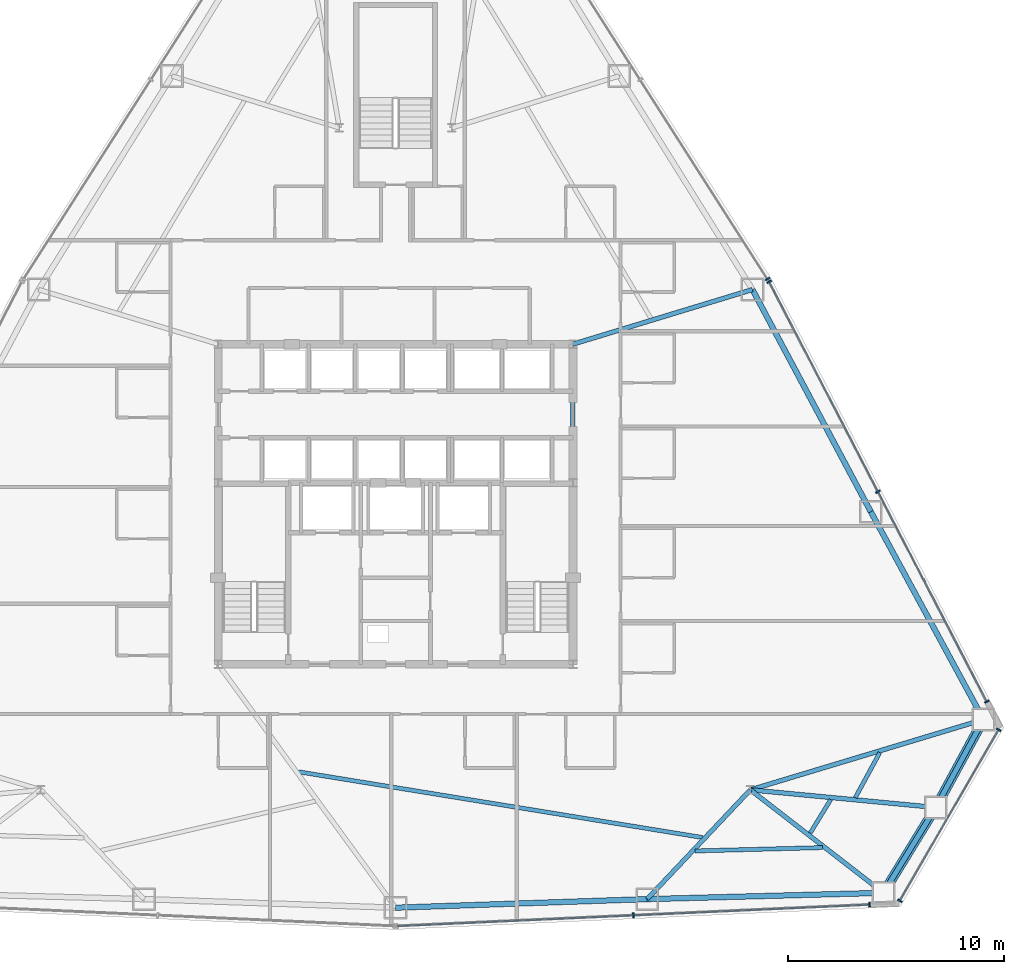
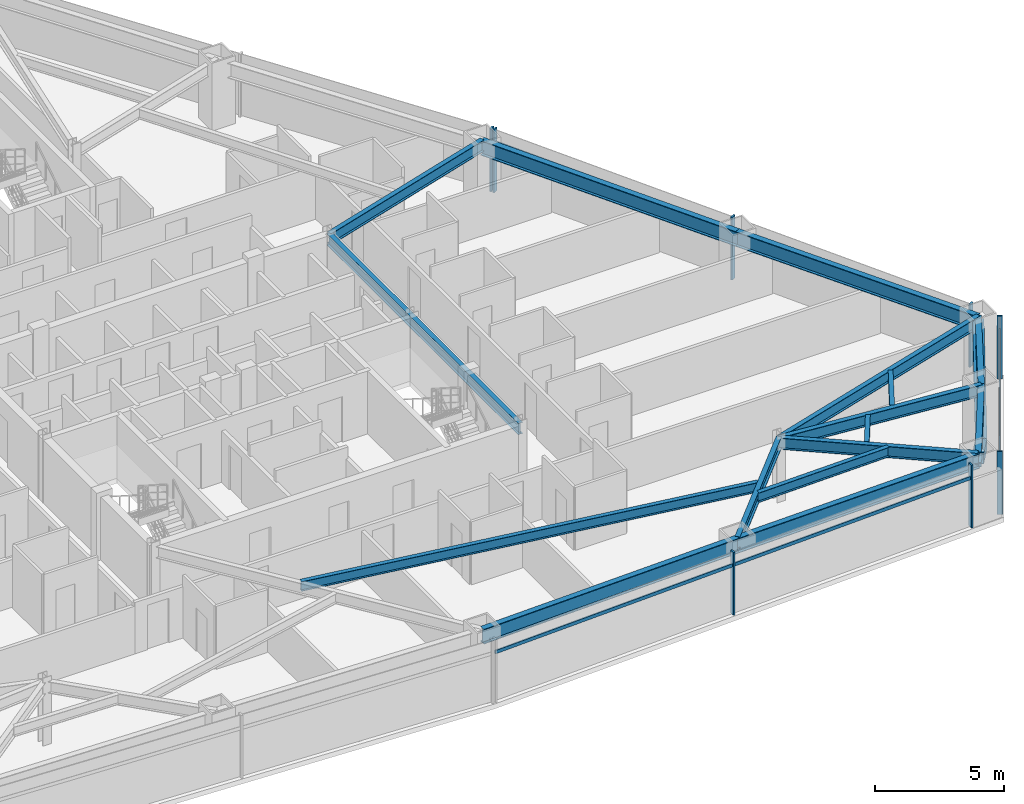
# One storey, part 6 of 13: 16 beams, 13 members, 4 elements without a shape of their own.
"""IFC4 building model written with IfcOpenShell, lengths in metres."""

from ifc_helpers import new_model, si_unit, direction, frame, origin, origin_2d, place, context, subcontext, project, spatial, rectangle, hollow_rectangle, i_section, extrude, source, transform, mapped, material, layer, layer_set, material_profile, profile_set, type_object, type_shapes, element, aggregate, save


model = new_model("IFC4")

# Units and contexts
model_context = context("Model", 3, precision=1e-05, world=origin(), true_north=direction((0.0, 1.0)))
body_context = subcontext(model_context, "Body", "Model", "MODEL_VIEW")
ifc_project = project(units=[si_unit("LENGTHUNIT", "METRE"), si_unit("AREAUNIT", "SQUARE_METRE"), si_unit("VOLUMEUNIT", "CUBIC_METRE"), si_unit("PLANEANGLEUNIT", "RADIAN"), si_unit("MASSUNIT", "GRAM", prefix="KILO")], contexts=[model_context])

# Site, building, storey
site_placement = place(None, origin())
site = spatial("IfcSite", under=ifc_project, at=site_placement, CompositionType="ELEMENT")
building_placement = place(site_placement, origin())
building = spatial("IfcBuilding", under=site, at=building_placement, Name="Varakhsha Concourse Tower", CompositionType="ELEMENT")
storey_placement = place(building_placement, frame((0.0, 0.0, 83.0)))
storey = spatial("IfcBuildingStorey", under=building, at=storey_placement, Name="L23", CompositionType="ELEMENT", Elevation=83.0)

# Beams
ifc_material_1 = material(Name="Structural Steel ASTM A992 Grade 50", Category="steel")
ifc_material_profile_1 = material_profile(ifc_material_1, i_section(OverallWidth=0.19091796875, OverallDepth=0.45703125, WebThickness=0.009033203125, FlangeThickness=0.013916015625, at=origin_2d()), Name="W18X50")
ifc_profile_set_1 = profile_set([ifc_material_profile_1], Name="Structural Steel ASTM A992 Grade 50")
beam_type_1 = type_object("IfcBeamType", Name="BM-JST-W18X50", PredefinedType="JOIST", material=ifc_profile_set_1)
beam_1_placement = place(storey_placement, frame((35.5166015625, 11.43310546875, 2.741455078125), z_axis=(0.987027059065, -0.160553993018, 0.0), x_axis=(0.160553993018, 0.987027059065, 0.0)))
element("IfcBeam", 1, at=beam_1_placement, inside=storey, type_object=beam_type_1, Name="BM-TJST-L23-11", PredefinedType="JOIST", context=body_context, shape_type="SweptSolid", body=[
    extrude(i_section(OverallWidth=0.19091796875, OverallDepth=0.45703125, WebThickness=0.009033203125, FlangeThickness=0.013916015625, at=origin_2d()), origin(), (0.0, 0.0, 1.0), 18.9208984375),
])
beam_2_placement = place(storey_placement, frame((53.838134765625, 7.7744140625, 2.741455078125), z_axis=(0.999648110151, 0.02652651261, 0.0), x_axis=(-0.02652651261, 0.999648110151, 0.0)))
element("IfcBeam", 2, at=beam_2_placement, inside=storey, type_object=beam_type_1, Name="BM-TJST-L23-12", PredefinedType="JOIST", context=body_context, shape_type="SweptSolid", body=[
    extrude(i_section(OverallWidth=0.19091796875, OverallDepth=0.45703125, WebThickness=0.009033203125, FlangeThickness=0.013916015625, at=origin_2d()), origin(), (0.0, 0.0, 1.0), 5.899658203125),
])
beam_3_placement = place(storey_placement, frame((59.164794921875, 8.598876953125, 2.741455078125), z_axis=(0.522010135783, 0.852939281626, 0.0), x_axis=(-0.852939281626, 0.522010135783, 0.0)))
element("IfcBeam", 3, at=beam_3_placement, inside=storey, type_object=beam_type_1, Name="BM-TJST-L23-13", PredefinedType="JOIST", context=body_context, shape_type="SweptSolid", body=[
    extrude(i_section(OverallWidth=0.19091796875, OverallDepth=0.45703125, WebThickness=0.009033203125, FlangeThickness=0.013916015625, at=origin_2d()), origin(), (0.0, 0.0, 1.0), 1.815673828125),
])
beam_4_placement = place(storey_placement, frame((61.250732421875, 10.239990234375, 2.741455078125), z_axis=(0.477516776867, 0.87862263106, 0.0), x_axis=(-0.87862263106, 0.477516776867, 0.0)))
element("IfcBeam", 4, at=beam_4_placement, inside=storey, type_object=beam_type_1, Name="BM-TJST-L23-14", PredefinedType="JOIST", context=body_context, shape_type="SweptSolid", body=[
    extrude(i_section(OverallWidth=0.19091796875, OverallDepth=0.45703125, WebThickness=0.009033203125, FlangeThickness=0.013916015625, at=origin_2d()), origin(), (0.0, 0.0, 1.0), 2.370849609375),
])
ifc_material_profile_2 = material_profile(ifc_material_1, i_section(OverallWidth=0.2109375, OverallDepth=0.5390625, WebThickness=0.011962890625, FlangeThickness=0.01904296875, at=origin_2d()), Name="W21X73")
ifc_profile_set_2 = profile_set([ifc_material_profile_2], Name="Structural Steel ASTM A992 Grade 50")
beam_type_2 = type_object("IfcBeamType", Name="BM-RAD-W21X73", PredefinedType="BEAM", material=ifc_profile_set_2)
beam_5_placement = place(storey_placement, frame((48.199951171875, 16.39990234375, 2.700439453125), z_axis=(0.0, 1.0, 0.0), x_axis=(-1.0, 0.0, 0.0)))
element("IfcBeam", 5, at=beam_5_placement, inside=storey, type_object=beam_type_2, Name="BM-TCORE-L23-CE", PredefinedType="BEAM", context=body_context, shape_type="SweptSolid", body=[
    extrude(i_section(OverallWidth=0.2109375, OverallDepth=0.5390625, WebThickness=0.011962890625, FlangeThickness=0.01904296875, at=origin_2d()), origin(), (0.0, 0.0, 1.0), 14.800048828125),
])
beam_6_placement = place(storey_placement, frame((56.39990234375, 10.60009765625, 2.700439453125), z_axis=(-0.686667898497, -0.726971249207, 0.0), x_axis=(0.726971249207, -0.686667898497, 0.0)))
element("IfcBeam", 6, at=beam_6_placement, inside=storey, type_object=beam_type_2, Name="L23 Radial Floor Girder 12", PredefinedType="BEAM", context=body_context, shape_type="SweptSolid", body=[
    extrude(i_section(OverallWidth=0.2109375, OverallDepth=0.5390625, WebThickness=0.011962890625, FlangeThickness=0.01904296875, at=origin_2d()), origin(), (0.0, 0.0, 1.0), 6.947998046875),
])
beam_7_placement = place(storey_placement, frame((56.39990234375, 10.60009765625, 2.700439453125), z_axis=(0.790863829476, -0.611992159449, 0.0), x_axis=(0.611992159449, 0.790863829476, 0.0)))
element("IfcBeam", 7, at=beam_7_placement, inside=storey, type_object=beam_type_2, Name="L23 Radial Floor Girder 13", PredefinedType="BEAM", context=body_context, shape_type="SweptSolid", body=[
    extrude(i_section(OverallWidth=0.2109375, OverallDepth=0.5390625, WebThickness=0.011962890625, FlangeThickness=0.01904296875, at=origin_2d()), origin(), (0.0, 0.0, 1.0), 7.77978515625),
])
beam_8_placement = place(storey_placement, frame((56.39990234375, 10.60009765625, 2.700439453125), z_axis=(0.995499423712, -0.094767596724, 0.0), x_axis=(0.094767596724, 0.995499423712, 0.0)))
element("IfcBeam", 8, at=beam_8_placement, inside=storey, type_object=beam_type_2, Name="L23 Radial Floor Girder 14", PredefinedType="BEAM", context=body_context, shape_type="SweptSolid", body=[
    extrude(i_section(OverallWidth=0.2109375, OverallDepth=0.5390625, WebThickness=0.011962890625, FlangeThickness=0.01904296875, at=origin_2d()), origin(), (0.0, 0.0, 1.0), 8.607177734375),
])
beam_9_placement = place(storey_placement, frame((56.39990234375, 10.60009765625, 2.700439453125), z_axis=(0.957434410413, 0.288650913313, 0.0), x_axis=(-0.288650913313, 0.957434410413, 0.0)))
element("IfcBeam", 9, at=beam_9_placement, inside=storey, type_object=beam_type_2, Name="L23 Radial Floor Girder 15", PredefinedType="BEAM", context=body_context, shape_type="SweptSolid", body=[
    extrude(i_section(OverallWidth=0.2109375, OverallDepth=0.5390625, WebThickness=0.011962890625, FlangeThickness=0.01904296875, at=origin_2d()), origin(), (0.0, 0.0, 1.0), 11.2568359375),
])
beam_10_placement = place(storey_placement, frame((48.199951171875, 31.199951171875, 2.700439453125), z_axis=(0.956697744709, 0.291083193036, 0.0), x_axis=(-0.291083193036, 0.956697744709, 0.0)))
element("IfcBeam", 10, at=beam_10_placement, inside=storey, type_object=beam_type_2, Name="L23 Radial Floor Girder 17", PredefinedType="BEAM", context=body_context, shape_type="SweptSolid", body=[
    extrude(i_section(OverallWidth=0.2109375, OverallDepth=0.5390625, WebThickness=0.011962890625, FlangeThickness=0.01904296875, at=origin_2d()), origin(), (0.0, 0.0, 1.0), 8.671630859375),
])
ifc_material_profile_3 = material_profile(ifc_material_1, i_section(OverallWidth=0.25390625, OverallDepth=0.701904296875, WebThickness=0.014892578125, FlangeThickness=0.028076171875, at=origin_2d()), Name="W27X129")
ifc_profile_set_3 = profile_set([ifc_material_profile_3], Name="Structural Steel ASTM A992 Grade 50")
beam_type_3 = type_object("IfcBeamType", Name="BM-SPAN-W27X129", PredefinedType="SPANDREL", material=ifc_profile_set_3)
beam_11_placement = place(storey_placement, frame((40.0, 5.15185546875, 2.618896484375), z_axis=(0.999417135447, 0.034137799785, 0.0), x_axis=(-0.034137799785, 0.999417135447, 0.0)))
element("IfcBeam", 11, at=beam_11_placement, inside=storey, type_object=beam_type_3, Name="BM-SPAN-L23-11", PredefinedType="SPANDREL", context=body_context, shape_type="SweptSolid", body=[
    extrude(i_section(OverallWidth=0.25390625, OverallDepth=0.701904296875, WebThickness=0.014892578125, FlangeThickness=0.028076171875, at=origin_2d()), origin(), (0.0, 0.0, 1.0), 11.6357421875),
])
beam_12_placement = place(storey_placement, frame((51.62890625, 5.549072265625, 2.618896484375), z_axis=(0.999648299755, 0.026519366436, 0.0), x_axis=(-0.026519366436, 0.999648299755, 0.0)))
element("IfcBeam", 12, at=beam_12_placement, inside=storey, type_object=beam_type_3, Name="BM-SPAN-L23-12", PredefinedType="SPANDREL", context=body_context, shape_type="SweptSolid", body=[
    extrude(i_section(OverallWidth=0.25390625, OverallDepth=0.701904296875, WebThickness=0.014892578125, FlangeThickness=0.028076171875, at=origin_2d()), origin(), (0.0, 0.0, 1.0), 10.927734375),
])
beam_13_placement = place(storey_placement, frame((62.552734375, 5.8388671875, 2.618896484375), z_axis=(0.522135058867, 0.852862814468, 0.0), x_axis=(-0.852862814468, 0.522135058867, 0.0)))
element("IfcBeam", 13, at=beam_13_placement, inside=storey, type_object=beam_type_3, Name="BM-SPAN-L23-13", PredefinedType="SPANDREL", context=body_context, shape_type="SweptSolid", body=[
    extrude(i_section(OverallWidth=0.25390625, OverallDepth=0.701904296875, WebThickness=0.014892578125, FlangeThickness=0.028076171875, at=origin_2d()), origin(), (0.0, 0.0, 1.0), 4.626220703125),
])
beam_14_placement = place(storey_placement, frame((64.96826171875, 9.784423828125, 2.618896484375), z_axis=(0.47751686281, 0.878622584351, 0.0), x_axis=(-0.878622584351, 0.47751686281, 0.0)))
element("IfcBeam", 14, at=beam_14_placement, inside=storey, type_object=beam_type_3, Name="BM-SPAN-L23-14", PredefinedType="SPANDREL", context=body_context, shape_type="SweptSolid", body=[
    extrude(i_section(OverallWidth=0.25390625, OverallDepth=0.701904296875, WebThickness=0.014892578125, FlangeThickness=0.028076171875, at=origin_2d()), origin(), (0.0, 0.0, 1.0), 4.62646484375),
])
beam_15_placement = place(storey_placement, frame((67.177490234375, 13.849365234375, 2.618896484375), z_axis=(-0.476839407103, 0.878990432163, 0.0), x_axis=(-0.878990432163, -0.476839407103, 0.0)))
element("IfcBeam", 15, at=beam_15_placement, inside=storey, type_object=beam_type_3, Name="BM-SPAN-L23-15", PredefinedType="SPANDREL", context=body_context, shape_type="SweptSolid", body=[
    extrude(i_section(OverallWidth=0.25390625, OverallDepth=0.701904296875, WebThickness=0.014892578125, FlangeThickness=0.028076171875, at=origin_2d()), origin(), (0.0, 0.0, 1.0), 10.927490234375),
])
beam_16_placement = place(storey_placement, frame((61.966796875, 23.45458984375, 2.618896484375), z_axis=(-0.470161283072, 0.882580516384, 0.0), x_axis=(-0.882580516384, -0.470161283072, 0.0)))
element("IfcBeam", 16, at=beam_16_placement, inside=storey, type_object=beam_type_3, Name="BM-SPAN-L23-16", PredefinedType="SPANDREL", context=body_context, shape_type="SweptSolid", body=[
    extrude(i_section(OverallWidth=0.25390625, OverallDepth=0.701904296875, WebThickness=0.014892578125, FlangeThickness=0.028076171875, at=origin_2d()), origin(), (0.0, 0.0, 1.0), 11.6357421875),
])

# Members
ifc_material_2 = material(Name="Structural Steel ASTM A500 Grade C", Category="steel")
ifc_material_profile_4 = material_profile(ifc_material_2, hollow_rectangle(XDim=0.449951171875, YDim=0.449951171875, WallThickness=0.01904296875, at=origin_2d()), Name="HSS 450x450x19")
ifc_profile_set_4 = profile_set([ifc_material_profile_4], Name="Structural Steel ASTM A500 Grade C")
member_type_1 = type_object("IfcMemberType", Name="MB-TUBE-HSS450", PredefinedType="BRACE", material=ifc_profile_set_4)
shared_shape_1 = source(origin(), body_context, "Body", "SweptSolid", [
    extrude(hollow_rectangle(XDim=0.449951171875, YDim=0.449951171875, WallThickness=0.01904296875, at=origin_2d()), origin(), (0.0, 0.0, 1.0), 5.282470703125),
])
member_1_placement = place(storey_placement, frame((64.96826171875, 9.784423828125, 0.1201171875), z_axis=(-0.457278846545, -0.746925756925, 0.48269863284), x_axis=(0.852862814468, -0.522135058867, 0.0)))
element("IfcMember", 17, at=member_1_placement, inside=storey, type_object=member_type_1, Name="L23 Wind-Corner Tube Brace B05", PredefinedType="BRACE", context=body_context, shape_type="MappedRepresentation", body=[
    mapped(shared_shape_1, transform((0.0, 0.0, 0.0), scale=1.0)),
])
shared_shape_2 = source(origin(), body_context, "Body", "SweptSolid", [
    extrude(hollow_rectangle(XDim=0.449951171875, YDim=0.449951171875, WallThickness=0.01904296875, at=origin_2d()), origin(), (0.0, 0.0, 1.0), 5.28271484375),
])
type_shapes(member_type_1, [shared_shape_1, shared_shape_2])
member_2_placement = place(storey_placement, frame((64.96826171875, 9.784423828125, 0.1201171875), z_axis=(0.418207952701, 0.769495238421, 0.48267917538), x_axis=(-0.878622584351, 0.47751686281, 0.0)))
element("IfcMember", 18, at=member_2_placement, inside=storey, type_object=member_type_1, Name="L23 Wind-Corner Tube Brace B06", PredefinedType="BRACE", context=body_context, shape_type="MappedRepresentation", body=[
    mapped(shared_shape_2, transform((0.0, 0.0, 0.0), scale=1.0)),
])

# Curtain wall, members
ifc_material_3 = material(Name="Anodised Bronze Architectural Aluminium AA 6063-T6", Category="aluminium")
ifc_layer = layer(ifc_material_3, 0.199951171875, Name="CW-SYS-03")
ifc_layer_set = layer_set([ifc_layer], Name="Anodised Bronze Architectural Aluminium AA 6063-T6")
curtain_wall_type = type_object("IfcCurtainWallType", Name="CW-SYS-03", PredefinedType="NOTDEFINED", material=ifc_layer_set)
curtain_wall_1_placement = place(storey_placement, origin())
curtain_wall_1 = element("IfcCurtainWall", 19, at=curtain_wall_1_placement, inside=storey, type_object=curtain_wall_type, Name="L23 Crystal Curtain Wall F6", PredefinedType="NOTDEFINED")
ifc_material_profile_5 = material_profile(ifc_material_3, rectangle(XDim=0.074951171875, YDim=0.219970703125, at=origin_2d()), Name="CWM-220X75")
ifc_profile_set_5 = profile_set([ifc_material_profile_5], Name="Anodised Bronze Architectural Aluminium AA 6063-T6")
member_type_2 = type_object("IfcMemberType", Name="CWM-220X75", PredefinedType="MULLION", material=ifc_profile_set_5)
shared_shape_3 = source(origin(), body_context, "Body", "SweptSolid", [
    extrude(rectangle(XDim=0.074951171875, YDim=0.219970703125, at=origin_2d()), origin(), (0.0, 0.0, 1.0), 2.969970703125),
])
type_shapes(member_type_2, [shared_shape_3])
member_3_placement = place(storey_placement, frame((61.911865234375, 5.29541015625, 0.0), z_axis=(0.0, 0.0, 1.0), x_axis=(-0.998969777905, -0.045380423448, 0.0)))
member_3 = element("IfcMember", 20, at=member_3_placement, type_object=member_type_2, Name="CW-L23-F6 Mullion 00", PredefinedType="MULLION", context=body_context, shape_type="MappedRepresentation", body=[
    mapped(shared_shape_3, transform((0.0, 0.0, 0.0), scale=1.0)),
])
member_4_placement = place(storey_placement, frame((50.9921875, 4.79931640625, 0.0), z_axis=(0.0, 0.0, 1.0), x_axis=(-0.998969777905, -0.045380423448, 0.0)))
member_4 = element("IfcMember", 21, at=member_4_placement, type_object=member_type_2, Name="CW-L23-F6 Mullion 01", PredefinedType="MULLION", context=body_context, shape_type="MappedRepresentation", body=[
    mapped(shared_shape_3, transform((0.0, 0.0, 0.0), scale=1.0)),
])

curtain_wall_2_placement = place(storey_placement, origin())
curtain_wall_2 = element("IfcCurtainWall", 22, at=curtain_wall_2_placement, inside=storey, type_object=curtain_wall_type, Name="L23 Chamfer Curtain Wall F7", PredefinedType="NOTDEFINED")
member_5_placement = place(storey_placement, frame((67.874755859375, 13.378662109375, 0.0), z_axis=(0.0, 0.0, 1.0), x_axis=(-0.499996976998, -0.866027149108, 0.0)))
member_5 = element("IfcMember", 23, at=member_5_placement, type_object=member_type_2, Name="CW-L23-F7 Mullion 00", PredefinedType="MULLION", context=body_context, shape_type="MappedRepresentation", body=[
    mapped(shared_shape_3, transform((0.0, 0.0, 0.0), scale=1.0)),
])
member_6_placement = place(storey_placement, frame((63.30908203125, 5.470458984375, 0.0), z_axis=(0.0, 0.0, 1.0), x_axis=(-0.499996976998, -0.866027149108, 0.0)))
member_6 = element("IfcMember", 24, at=member_6_placement, type_object=member_type_2, Name="CW-L23-F7 Mullion 01", PredefinedType="MULLION", context=body_context, shape_type="MappedRepresentation", body=[
    mapped(shared_shape_3, transform((0.0, 0.0, 0.0), scale=1.0)),
])

curtain_wall_3_placement = place(storey_placement, origin())
curtain_wall_3 = element("IfcCurtainWall", 25, at=curtain_wall_3_placement, inside=storey, type_object=curtain_wall_type, Name="L23 Crystal Curtain Wall F8", PredefinedType="NOTDEFINED")
member_7_placement = place(storey_placement, frame((57.267333984375, 34.08544921875, 0.0), z_axis=(0.0, 0.0, 1.0), x_axis=(0.460185838956, -0.887822613828, 0.0)))
member_7 = element("IfcMember", 26, at=member_7_placement, type_object=member_type_2, Name="CW-L23-F8 Mullion 00", PredefinedType="MULLION", context=body_context, shape_type="MappedRepresentation", body=[
    mapped(shared_shape_3, transform((0.0, 0.0, 0.0), scale=1.0)),
])
member_8_placement = place(storey_placement, frame((62.297607421875, 24.380859375, 0.0), z_axis=(0.0, 0.0, 1.0), x_axis=(0.460185838956, -0.887822613828, 0.0)))
member_8 = element("IfcMember", 27, at=member_8_placement, type_object=member_type_2, Name="CW-L23-F8 Mullion 01", PredefinedType="MULLION", context=body_context, shape_type="MappedRepresentation", body=[
    mapped(shared_shape_3, transform((0.0, 0.0, 0.0), scale=1.0)),
])
member_9_placement = place(storey_placement, frame((67.327880859375, 14.67626953125, 0.0), z_axis=(0.0, 0.0, 1.0), x_axis=(0.460185838956, -0.887822613828, 0.0)))
member_9 = element("IfcMember", 28, at=member_9_placement, type_object=member_type_2, Name="CW-L23-F8 Mullion 02", PredefinedType="MULLION", context=body_context, shape_type="MappedRepresentation", body=[
    mapped(shared_shape_3, transform((0.0, 0.0, 0.0), scale=1.0)),
])

# Curtain wall, member
curtain_wall_4_placement = place(storey_placement, origin())
curtain_wall_4 = element("IfcCurtainWall", 29, at=curtain_wall_4_placement, inside=storey, type_object=curtain_wall_type, Name="L23 Crystal Curtain Wall F9", PredefinedType="NOTDEFINED")
member_10_placement = place(storey_placement, frame((57.194580078125, 34.211181640625, 0.0), z_axis=(0.0, 0.0, 1.0), x_axis=(0.538786958833, -0.842442053195, 0.0)))
member_10 = element("IfcMember", 30, at=member_10_placement, type_object=member_type_2, Name="CW-L23-F9 Mullion 02", PredefinedType="MULLION", context=body_context, shape_type="MappedRepresentation", body=[
    mapped(shared_shape_3, transform((0.0, 0.0, 0.0), scale=1.0)),
])
aggregate(curtain_wall_4, [member_10])

# Member
ifc_material_profile_6 = material_profile(ifc_material_3, rectangle(XDim=0.06494140625, YDim=0.159912109375, at=origin_2d()), Name="CWT-160X65")
ifc_profile_set_6 = profile_set([ifc_material_profile_6], Name="Anodised Bronze Architectural Aluminium AA 6063-T6")
member_type_3 = type_object("IfcMemberType", Name="CWT-160X65", PredefinedType="USERDEFINED", material=ifc_profile_set_6)
shared_shape_4 = source(origin(), body_context, "Body", "SweptSolid", [
    extrude(rectangle(XDim=0.06494140625, YDim=0.159912109375, at=origin_2d()), origin(), (0.0, 0.0, 1.0), 21.861572265625),
])
member_11_placement = place(storey_placement, frame((61.911865234375, 5.29541015625, 2.320068359375), z_axis=(-0.998969576113, -0.045384865318, 0.0), x_axis=(0.045384865318, -0.998969576113, 0.0)))
member_11 = element("IfcMember", 31, at=member_11_placement, type_object=member_type_3, Name="CW-L23-F6 Transom 01", ObjectType="TRANSOM", PredefinedType="USERDEFINED", context=body_context, shape_type="MappedRepresentation", body=[
    mapped(shared_shape_4, transform((0.0, 0.0, 0.0), scale=1.0)),
])

aggregate(curtain_wall_1, [member_3, member_4, member_11])

member_12_placement = place(storey_placement, frame((57.267333984375, 34.08544921875, 2.320068359375), z_axis=(0.460191986848, -0.887819427159, 0.0), x_axis=(0.887819427159, 0.460191986848, 0.0)))
member_12 = element("IfcMember", 32, at=member_12_placement, type_object=member_type_3, Name="CW-L23-F8 Transom 01", ObjectType="TRANSOM", PredefinedType="USERDEFINED", context=body_context, shape_type="MappedRepresentation", body=[
    mapped(shared_shape_4, transform((0.0, 0.0, 0.0), scale=1.0)),
])

aggregate(curtain_wall_3, [member_7, member_8, member_9, member_12])

shared_shape_5 = source(origin(), body_context, "Body", "SweptSolid", [
    extrude(rectangle(XDim=0.06494140625, YDim=0.159912109375, at=origin_2d()), origin(), (0.0, 0.0, 1.0), 9.131591796875),
])
type_shapes(member_type_3, [shared_shape_4, shared_shape_5])
member_13_placement = place(storey_placement, frame((67.874755859375, 13.378662109375, 2.320068359375), z_axis=(-0.499989374027, -0.866031538606, 0.0), x_axis=(0.866031538606, -0.499989374027, 0.0)))
member_13 = element("IfcMember", 33, at=member_13_placement, type_object=member_type_3, Name="CW-L23-F7 Transom 01", ObjectType="TRANSOM", PredefinedType="USERDEFINED", context=body_context, shape_type="MappedRepresentation", body=[
    mapped(shared_shape_5, transform((0.0, 0.0, 0.0), scale=1.0)),
])

aggregate(curtain_wall_2, [member_5, member_6, member_13])

save(model, "model.ifc")
